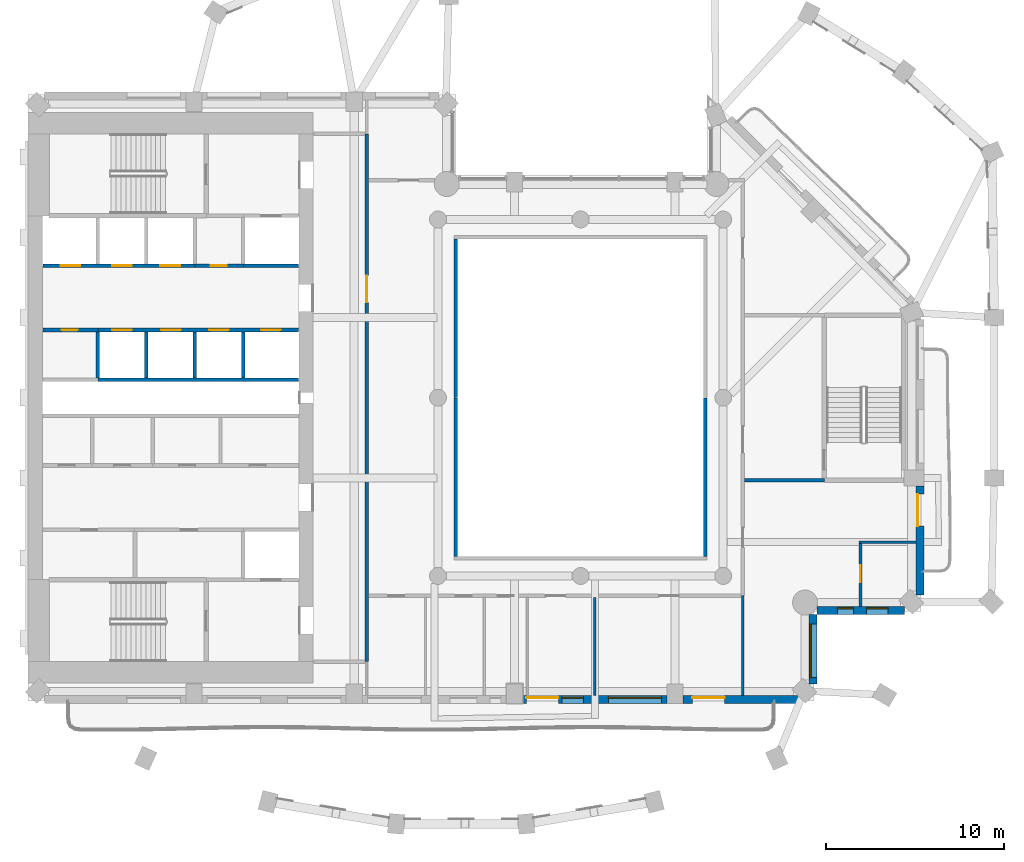
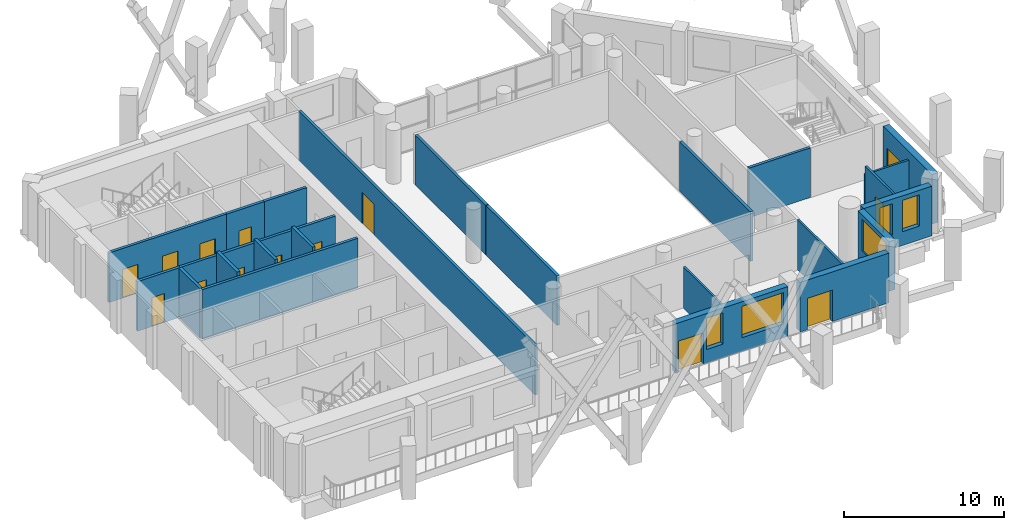
# One storey, part 5 of 15: 24 walls, 14 doors, 5 windows, 19 openings.
"""IFC4 building model written with IfcOpenShell, lengths in metres."""

from ifc_helpers import new_model, si_unit, direction, frame, frame_2d, origin, place, context, subcontext, project, spatial, rectangle, extrude, material, layer, layer_set, type_object, element, fill, save


model = new_model("IFC4")

# Units and contexts
model_context = context("Model", 3, precision=1e-05, world=origin(), true_north=direction((0.0, 1.0)))
body_context = subcontext(model_context, "Body", "Model", "MODEL_VIEW")
ifc_project = project(units=[si_unit("LENGTHUNIT", "METRE"), si_unit("AREAUNIT", "SQUARE_METRE"), si_unit("VOLUMEUNIT", "CUBIC_METRE"), si_unit("PLANEANGLEUNIT", "RADIAN"), si_unit("MASSUNIT", "GRAM", prefix="KILO")], contexts=[model_context])

# Site, building, storey
site_placement = place(None, origin())
site = spatial("IfcSite", under=ifc_project, at=site_placement, CompositionType="ELEMENT")
building_placement = place(site_placement, origin())
building = spatial("IfcBuilding", under=site, at=building_placement, Name="Cypress Arch Tower", CompositionType="ELEMENT")
storey_placement = place(building_placement, frame((0.0, 0.0, 193.300048828125)))
storey = spatial("IfcBuildingStorey", under=building, at=storey_placement, Name="L42", CompositionType="ELEMENT", Elevation=193.300048828125)

# Wall, openings, door, windows
ifc_material_1 = material(Name="Brick (red buff blend)", Category="masonry")
ifc_layer_1 = layer(ifc_material_1, 0.449951171875)
ifc_layer_set_1 = layer_set([ifc_layer_1], Name="Brick pier and spandrel wall BW450")
wall_type_1 = type_object("IfcWallType", Name="Brick pier and spandrel wall BW450", PredefinedType="SOLIDWALL", material=ifc_layer_set_1)
wall_1_placement = place(storey_placement, frame((-2.25, -16.925048828125, 0.0), z_axis=(0.0, 0.0, 1.0), x_axis=(1.0, 0.0, 0.0)))
wall_1 = element("IfcWall", 1, at=wall_1_placement, inside=storey, type_object=wall_type_1, Name="Brick wall L42 B01.3", PredefinedType="SOLIDWALL", context=body_context, shape_type="SweptSolid", body=[
    extrude(rectangle(XDim=8.10009765625, YDim=0.449951171875, at=frame_2d((4.050048828125, 0.0))), origin(), (0.0, 0.0, 1.0), 3.800048828125),
])
opening_1_placement = place(wall_1_placement, frame((0.199951171875, 0.0, 0.0)))
opening_1 = element("IfcOpeningElement", 2, at=opening_1_placement, cuts=wall_1, Name="Opening D-L42-B01.3.1", PredefinedType="OPENING", context=body_context, shape_type="SweptSolid", body=[
    extrude(rectangle(XDim=1.800048828125, YDim=2.39990234375, at=frame_2d((0.89990234375, 1.199951171875))), frame((0.0, 0.23486328125, 0.0), z_axis=(0.0, -1.0, 0.0), x_axis=(1.0, 0.0, 0.0)), (0.0, 0.0, 1.0), 0.469970703125),
])
opening_2_placement = place(wall_1_placement, frame((2.199951171875, 0.0, 1.050048828125)))
opening_2 = element("IfcOpeningElement", 3, at=opening_2_placement, cuts=wall_1, Name="Opening W120OD", PredefinedType="OPENING", context=body_context, shape_type="SweptSolid", body=[
    extrude(rectangle(XDim=1.199951171875, YDim=2.39990234375, at=frame_2d((0.60009765625, 1.199951171875))), frame((0.0, 0.23486328125, 0.0), z_axis=(0.0, -1.0, 0.0), x_axis=(1.0, 0.0, 0.0)), (0.0, 0.0, 1.0), 0.469970703125),
])
opening_3_placement = place(wall_1_placement, frame((4.800048828125, 0.0, 1.050048828125)))
opening_3 = element("IfcOpeningElement", 4, at=opening_3_placement, cuts=wall_1, Name="Opening W300OD", PredefinedType="OPENING", context=body_context, shape_type="SweptSolid", body=[
    extrude(rectangle(XDim=3.0, YDim=2.39990234375, at=frame_2d((1.5, 1.199951171875))), frame((0.0, 0.23486328125, 0.0), z_axis=(0.0, -1.0, 0.0), x_axis=(1.0, 0.0, 0.0)), (0.0, 0.0, 1.0), 0.469970703125),
])
ifc_material_2 = material(Name="Anodised aluminium, bronze finish, laminated low-emissivity double glazing, large-missile impact rated", Category="aluminium")
door_type_1 = type_object("IfcDoorType", Name="Balcony sliding door 1800x2400", OperationType="SLIDING_TO_LEFT", PredefinedType="DOOR", material=ifc_material_2)
door_1_placement = place(opening_1_placement, origin())
door_1 = element("IfcDoor", 5, at=door_1_placement, inside=storey, type_object=door_type_1, Name="Balcony door L42 B01.3.1", OperationType="SLIDING_TO_LEFT", OverallHeight=2.39990234375, OverallWidth=1.800048828125, PredefinedType="DOOR", context=body_context, shape_type="SweptSolid", body=[
    extrude(rectangle(XDim=1.800048828125, YDim=2.39990234375, at=frame_2d((0.89990234375, 1.199951171875))), frame((0.0, 0.1298828125, 0.0), z_axis=(0.0, -1.0, 0.0), x_axis=(1.0, 0.0, 0.0)), (0.0, 0.0, 1.0), 0.050048828125),
])
fill(opening_1, door_1)
ifc_material_3 = material(Name="Anodised aluminium, bronze finish, laminated low-emissivity double glazing, large-missile impact rated", Category="aluminium")
window_type_1 = type_object("IfcWindowType", Name="Window Office 1200x2400 debris-rated", PartitioningType="SINGLE_PANEL", PredefinedType="WINDOW", material=ifc_material_3)
window_1_placement = place(opening_2_placement, origin())
window_1 = element("IfcWindow", 6, at=window_1_placement, inside=storey, type_object=window_type_1, Name="Window L42 B01.3.1", OverallHeight=2.39990234375, OverallWidth=1.199951171875, PartitioningType="SINGLE_PANEL", PredefinedType="WINDOW", context=body_context, shape_type="SweptSolid", body=[
    extrude(rectangle(XDim=1.199951171875, YDim=2.39990234375, at=frame_2d((0.60009765625, 1.199951171875))), frame((0.0, 0.135009765625, 0.0), z_axis=(0.0, -1.0, 0.0), x_axis=(1.0, 0.0, 0.0)), (0.0, 0.0, 1.0), 0.06005859375),
])
fill(opening_2, window_1)
ifc_material_4 = material(Name="Anodised aluminium, bronze finish, laminated low-emissivity double glazing, large-missile impact rated", Category="aluminium")
window_type_2 = type_object("IfcWindowType", Name="Window Office 3000x2400 debris-rated", PartitioningType="SINGLE_PANEL", PredefinedType="WINDOW", material=ifc_material_4)
window_2_placement = place(opening_3_placement, origin())
window_2 = element("IfcWindow", 7, at=window_2_placement, inside=storey, type_object=window_type_2, Name="Window L42 B01.3.2", OverallHeight=2.39990234375, OverallWidth=3.0, PartitioningType="SINGLE_PANEL", PredefinedType="WINDOW", context=body_context, shape_type="SweptSolid", body=[
    extrude(rectangle(XDim=3.0, YDim=2.39990234375, at=frame_2d((1.5, 1.199951171875))), frame((0.0, 0.135009765625, 0.0), z_axis=(0.0, -1.0, 0.0), x_axis=(1.0, 0.0, 0.0)), (0.0, 0.0, 1.0), 0.06005859375),
])
fill(opening_3, window_2)

# Wall, opening, door
wall_2_placement = place(storey_placement, frame((6.75, -16.925048828125, 0.0), z_axis=(0.0, 0.0, 1.0), x_axis=(1.0, 0.0, 0.0)))
wall_2 = element("IfcWall", 8, at=wall_2_placement, inside=storey, type_object=wall_type_1, Name="Brick wall L42 B01.4", PredefinedType="SOLIDWALL", context=body_context, shape_type="SweptSolid", body=[
    extrude(rectangle(XDim=6.41357421875, YDim=0.449951171875, at=frame_2d((3.206787109375, 0.0))), origin(), (0.0, 0.0, 1.0), 3.800048828125),
])
opening_4_placement = place(wall_2_placement, frame((0.52490234375, 0.0, 0.0)))
opening_4 = element("IfcOpeningElement", 9, at=opening_4_placement, cuts=wall_2, Name="Opening D-L42-B01.4.1", PredefinedType="OPENING", context=body_context, shape_type="SweptSolid", body=[
    extrude(rectangle(XDim=1.800048828125, YDim=2.39990234375, at=frame_2d((0.89990234375, 1.199951171875))), frame((0.0, 0.23486328125, 0.0), z_axis=(0.0, -1.0, 0.0), x_axis=(1.0, 0.0, 0.0)), (0.0, 0.0, 1.0), 0.469970703125),
])
door_2_placement = place(opening_4_placement, origin())
door_2 = element("IfcDoor", 10, at=door_2_placement, inside=storey, type_object=door_type_1, Name="Balcony door L42 B01.4.1", OperationType="SLIDING_TO_LEFT", OverallHeight=2.39990234375, OverallWidth=1.800048828125, PredefinedType="DOOR", context=body_context, shape_type="SweptSolid", body=[
    extrude(rectangle(XDim=1.800048828125, YDim=2.39990234375, at=frame_2d((0.89990234375, 1.199951171875))), frame((0.0, 0.1298828125, 0.0), z_axis=(0.0, -1.0, 0.0), x_axis=(1.0, 0.0, 0.0)), (0.0, 0.0, 1.0), 0.050048828125),
])
fill(opening_4, door_2)

# Wall, opening, window
wall_3_placement = place(storey_placement, frame((14.02490234375, -16.063720703125, 0.0), z_axis=(0.0, 0.0, 1.0), x_axis=(0.0, 1.0, 0.0)))
wall_3 = element("IfcWall", 11, at=wall_3_placement, inside=storey, type_object=wall_type_1, Name="Brick wall L42 B02.0", PredefinedType="SOLIDWALL", context=body_context, shape_type="SweptSolid", body=[
    extrude(rectangle(XDim=3.9091796875, YDim=0.449951171875, at=frame_2d((1.95458984375, 0.0))), origin(), (0.0, 0.0, 1.0), 3.800048828125),
])
opening_5_placement = place(wall_3_placement, frame((0.363525390625, 0.0, 1.050048828125)))
opening_5 = element("IfcOpeningElement", 12, at=opening_5_placement, cuts=wall_3, Name="Opening W300O", PredefinedType="OPENING", context=body_context, shape_type="SweptSolid", body=[
    extrude(rectangle(XDim=3.0, YDim=2.39990234375, at=frame_2d((1.5, 1.199951171875))), frame((0.0, 0.23486328125, 0.0), z_axis=(0.0, -1.0, 0.0), x_axis=(1.0, 0.0, 0.0)), (0.0, 0.0, 1.0), 0.469970703125),
])
ifc_material_5 = material(Name="Anodised aluminium, bronze finish, clear low-emissivity double glazing", Category="aluminium")
window_type_3 = type_object("IfcWindowType", Name="Window Office 3000x2400", PartitioningType="SINGLE_PANEL", PredefinedType="WINDOW", material=ifc_material_5)
window_3_placement = place(opening_5_placement, origin())
window_3 = element("IfcWindow", 13, at=window_3_placement, inside=storey, type_object=window_type_3, Name="Window L42 B02.0.1", OverallHeight=2.39990234375, OverallWidth=3.0, PartitioningType="SINGLE_PANEL", PredefinedType="WINDOW", context=body_context, shape_type="SweptSolid", body=[
    extrude(rectangle(XDim=3.0, YDim=2.39990234375, at=frame_2d((1.5, 1.199951171875))), frame((0.0, 0.135009765625, 0.0), z_axis=(0.0, -1.0, 0.0), x_axis=(1.0, 0.0, 0.0)), (0.0, 0.0, 1.0), 0.06005859375),
])
fill(opening_5, window_3)

# Wall, openings, windows
wall_4_placement = place(storey_placement, frame((14.254638671875, -11.925048828125, 0.0), z_axis=(0.0, 0.0, 1.0), x_axis=(1.0, 0.0, 0.0)))
wall_4 = element("IfcWall", 14, at=wall_4_placement, inside=storey, type_object=wall_type_1, Name="Brick wall L42 B03.0", PredefinedType="SOLIDWALL", context=body_context, shape_type="SweptSolid", body=[
    extrude(rectangle(XDim=4.908935546875, YDim=0.449951171875, at=frame_2d((2.45458984375, 0.0))), origin(), (0.0, 0.0, 1.0), 3.800048828125),
])
opening_6_placement = place(wall_4_placement, frame((1.1455078125, 0.0, 1.050048828125)))
opening_6 = element("IfcOpeningElement", 15, at=opening_6_placement, cuts=wall_4, Name="Opening W090O", PredefinedType="OPENING", context=body_context, shape_type="SweptSolid", body=[
    extrude(rectangle(XDim=0.89990234375, YDim=2.39990234375, at=frame_2d((0.449951171875, 1.199951171875))), frame((0.0, 0.23486328125, 0.0), z_axis=(0.0, -1.0, 0.0), x_axis=(1.0, 0.0, 0.0)), (0.0, 0.0, 1.0), 0.469970703125),
])
opening_7_placement = place(wall_4_placement, frame((2.79541015625, 0.0, 1.050048828125)))
opening_7 = element("IfcOpeningElement", 16, at=opening_7_placement, cuts=wall_4, Name="Opening W120O", PredefinedType="OPENING", context=body_context, shape_type="SweptSolid", body=[
    extrude(rectangle(XDim=1.199951171875, YDim=2.39990234375, at=frame_2d((0.60009765625, 1.199951171875))), frame((0.0, 0.23486328125, 0.0), z_axis=(0.0, -1.0, 0.0), x_axis=(1.0, 0.0, 0.0)), (0.0, 0.0, 1.0), 0.469970703125),
])
ifc_material_6 = material(Name="Anodised aluminium, bronze finish, clear low-emissivity double glazing", Category="aluminium")
window_type_4 = type_object("IfcWindowType", Name="Window Office 1200x2400", PartitioningType="SINGLE_PANEL", PredefinedType="WINDOW", material=ifc_material_6)
window_4_placement = place(opening_7_placement, origin())
window_4 = element("IfcWindow", 17, at=window_4_placement, inside=storey, type_object=window_type_4, Name="Window L42 B03.0.1b", OverallHeight=2.39990234375, OverallWidth=1.199951171875, PartitioningType="SINGLE_PANEL", PredefinedType="WINDOW", context=body_context, shape_type="SweptSolid", body=[
    extrude(rectangle(XDim=1.199951171875, YDim=2.39990234375, at=frame_2d((0.60009765625, 1.199951171875))), frame((0.0, 0.135009765625, 0.0), z_axis=(0.0, -1.0, 0.0), x_axis=(1.0, 0.0, 0.0)), (0.0, 0.0, 1.0), 0.06005859375),
])
fill(opening_7, window_4)
ifc_material_7 = material(Name="Anodised aluminium, bronze finish, clear low-emissivity double glazing", Category="aluminium")
window_type_5 = type_object("IfcWindowType", Name="Window Office 900x2400", PartitioningType="SINGLE_PANEL", PredefinedType="WINDOW", material=ifc_material_7)
window_5_placement = place(opening_6_placement, origin())
window_5 = element("IfcWindow", 18, at=window_5_placement, inside=storey, type_object=window_type_5, Name="Window L42 B03.0.1", OverallHeight=2.39990234375, OverallWidth=0.89990234375, PartitioningType="SINGLE_PANEL", PredefinedType="WINDOW", context=body_context, shape_type="SweptSolid", body=[
    extrude(rectangle(XDim=0.89990234375, YDim=2.39990234375, at=frame_2d((0.449951171875, 1.199951171875))), frame((0.0, 0.135009765625, 0.0), z_axis=(0.0, -1.0, 0.0), x_axis=(1.0, 0.0, 0.0)), (0.0, 0.0, 1.0), 0.06005859375),
])
fill(opening_6, window_5)

# Wall, opening, door
wall_5_placement = place(storey_placement, frame((20.02490234375, -11.063720703125, 0.0), z_axis=(0.0, 0.0, 1.0), x_axis=(0.0, 1.0, 0.0)))
wall_5 = element("IfcWall", 19, at=wall_5_placement, inside=storey, type_object=wall_type_1, Name="Brick wall L42 B04.0", PredefinedType="SOLIDWALL", context=body_context, shape_type="SweptSolid", body=[
    extrude(rectangle(XDim=6.11376953125, YDim=0.449951171875, at=frame_2d((3.056884765625, 0.0))), origin(), (0.0, 0.0, 1.0), 3.800048828125),
])
opening_8_placement = place(wall_5_placement, frame((3.863525390625, 0.0, 0.0)))
opening_8 = element("IfcOpeningElement", 20, at=opening_8_placement, cuts=wall_5, Name="Opening D-L42-B04.0.2", PredefinedType="OPENING", context=body_context, shape_type="SweptSolid", body=[
    extrude(rectangle(XDim=1.800048828125, YDim=2.39990234375, at=frame_2d((0.89990234375, 1.199951171875))), frame((0.0, 0.23486328125, 0.0), z_axis=(0.0, -1.0, 0.0), x_axis=(1.0, 0.0, 0.0)), (0.0, 0.0, 1.0), 0.469970703125),
])
door_3_placement = place(opening_8_placement, origin())
door_3 = element("IfcDoor", 21, at=door_3_placement, inside=storey, type_object=door_type_1, Name="Balcony door L42 B04.0.2", OperationType="SLIDING_TO_LEFT", OverallHeight=2.39990234375, OverallWidth=1.800048828125, PredefinedType="DOOR", context=body_context, shape_type="SweptSolid", body=[
    extrude(rectangle(XDim=1.800048828125, YDim=2.39990234375, at=frame_2d((0.89990234375, 1.199951171875))), frame((0.0, 0.1298828125, 0.0), z_axis=(0.0, -1.0, 0.0), x_axis=(1.0, 0.0, 0.0)), (0.0, 0.0, 1.0), 0.050048828125),
])
fill(opening_8, door_3)

ifc_material_8 = material(Name="Concrete blockwork, plastered, rated", Category="masonry")
ifc_layer_2 = layer(ifc_material_8, 0.199951171875)
ifc_layer_set_2 = layer_set([ifc_layer_2], Name="Corridor wall FW200")
wall_type_2 = type_object("IfcWallType", Name="Corridor wall FW200", PredefinedType="PARTITIONING", material=ifc_layer_set_2)
wall_6_placement = place(storey_placement, frame((-29.169921875, 3.800048828125, 0.0), z_axis=(0.0, 0.0, 1.0), x_axis=(1.0, 0.0, 0.0)))
wall_6 = element("IfcWall", 22, at=wall_6_placement, inside=storey, type_object=wall_type_2, Name="Corridor wall", PredefinedType="PARTITIONING", context=body_context, shape_type="SweptSolid", body=[
    extrude(rectangle(XDim=3.08984375, YDim=0.199951171875, at=frame_2d((1.544921875, 0.0))), origin(), (0.0, 0.0, 1.0), 3.800048828125),
])
opening_9_placement = place(wall_6_placement, frame((1.050048828125, 0.0, 0.0)))
opening_9 = element("IfcOpeningElement", 23, at=opening_9_placement, cuts=wall_6, Name="Opening D05", PredefinedType="OPENING", context=body_context, shape_type="SweptSolid", body=[
    extrude(rectangle(XDim=0.89990234375, YDim=2.199951171875, at=frame_2d((0.449951171875, 1.10009765625))), frame((0.0, 0.10986328125, 0.0), z_axis=(0.0, -1.0, 0.0), x_axis=(1.0, 0.0, 0.0)), (0.0, 0.0, 1.0), 0.219970703125),
])
ifc_material_9 = material(Name="Timber flush door", Category="wood")
door_type_2 = type_object("IfcDoorType", Name="Service door D05 900x2200", OperationType="SINGLE_SWING_LEFT", PredefinedType="DOOR", material=ifc_material_9)
door_4_placement = place(opening_9_placement, origin())
door_4 = element("IfcDoor", 24, at=door_4_placement, inside=storey, type_object=door_type_2, Name="Service door", OperationType="SINGLE_SWING_LEFT", OverallHeight=2.199951171875, OverallWidth=0.89990234375, PredefinedType="DOOR", context=body_context, shape_type="SweptSolid", body=[
    extrude(rectangle(XDim=0.89990234375, YDim=2.199951171875, at=frame_2d((0.449951171875, 1.10009765625))), frame((0.0, 0.02490234375, 0.0), z_axis=(0.0, -1.0, 0.0), x_axis=(1.0, 0.0, 0.0)), (0.0, 0.0, 1.0), 0.050048828125),
])
fill(opening_9, door_4)

wall_7_placement = place(storey_placement, frame((-20.639892578125, 7.39990234375, 0.0), z_axis=(0.0, 0.0, 1.0), x_axis=(1.0, 0.0, 0.0)))
wall_7 = element("IfcWall", 25, at=wall_7_placement, inside=storey, type_object=wall_type_2, Name="Corridor wall", PredefinedType="PARTITIONING", context=body_context, shape_type="SweptSolid", body=[
    extrude(rectangle(XDim=2.719970703125, YDim=0.199951171875, at=frame_2d((1.35986328125, 0.0))), origin(), (0.0, 0.0, 1.0), 3.800048828125),
])
opening_10_placement = place(wall_7_placement, frame((0.89990234375, 0.0, 0.0)))
opening_10 = element("IfcOpeningElement", 26, at=opening_10_placement, cuts=wall_7, Name="Opening D05", PredefinedType="OPENING", context=body_context, shape_type="SweptSolid", body=[
    extrude(rectangle(XDim=0.89990234375, YDim=2.199951171875, at=frame_2d((0.449951171875, 1.10009765625))), frame((0.0, 0.10986328125, 0.0), z_axis=(0.0, -1.0, 0.0), x_axis=(1.0, 0.0, 0.0)), (0.0, 0.0, 1.0), 0.219970703125),
])
door_5_placement = place(opening_10_placement, origin())
door_5 = element("IfcDoor", 27, at=door_5_placement, inside=storey, type_object=door_type_2, Name="Service door", OperationType="SINGLE_SWING_LEFT", OverallHeight=2.199951171875, OverallWidth=0.89990234375, PredefinedType="DOOR", context=body_context, shape_type="SweptSolid", body=[
    extrude(rectangle(XDim=0.89990234375, YDim=2.199951171875, at=frame_2d((0.449951171875, 1.10009765625))), frame((0.0, 0.02490234375, 0.0), z_axis=(0.0, -1.0, 0.0), x_axis=(1.0, 0.0, 0.0)), (0.0, 0.0, 1.0), 0.050048828125),
])
fill(opening_10, door_5)

wall_8_placement = place(storey_placement, frame((-11.0, -14.800048828125, 0.0), z_axis=(0.0, 0.0, 1.0), x_axis=(0.0, 1.0, 0.0)))
wall_8 = element("IfcWall", 28, at=wall_8_placement, inside=storey, type_object=wall_type_2, Name="Corridor wall", PredefinedType="PARTITIONING", context=body_context, shape_type="SweptSolid", body=[
    extrude(rectangle(XDim=29.60009765625, YDim=0.199951171875, at=frame_2d((14.800048828125, 0.0))), origin(), (0.0, 0.0, 1.0), 3.800048828125),
])
opening_11_placement = place(wall_8_placement, frame((20.14990234375, 0.0, 0.0)))
opening_11 = element("IfcOpeningElement", 29, at=opening_11_placement, cuts=wall_8, Name="Opening D07", PredefinedType="OPENING", context=body_context, shape_type="SweptSolid", body=[
    extrude(rectangle(XDim=1.5, YDim=2.39990234375, at=frame_2d((0.75, 1.199951171875))), frame((0.0, 0.10986328125, 0.0), z_axis=(0.0, -1.0, 0.0), x_axis=(1.0, 0.0, 0.0)), (0.0, 0.0, 1.0), 0.219970703125),
])
ifc_material_10 = material(Name="Steel framed glazed door, fire resisting", Category="steel")
door_type_3 = type_object("IfcDoorType", Name="Lobby door D07 1500x2400", OperationType="DOUBLE_DOOR_SINGLE_SWING", PredefinedType="DOOR", material=ifc_material_10)
door_6_placement = place(opening_11_placement, origin())
door_6 = element("IfcDoor", 30, at=door_6_placement, inside=storey, type_object=door_type_3, Name="Lobby door", OperationType="DOUBLE_DOOR_SINGLE_SWING", OverallHeight=2.39990234375, OverallWidth=1.5, PredefinedType="DOOR", context=body_context, shape_type="SweptSolid", body=[
    extrude(rectangle(XDim=1.5, YDim=2.39990234375, at=frame_2d((0.75, 1.199951171875))), frame((0.0, 0.02490234375, 0.0), z_axis=(0.0, -1.0, 0.0), x_axis=(1.0, 0.0, 0.0)), (0.0, 0.0, 1.0), 0.050048828125),
])
fill(opening_11, door_6)

# Walls
for number, where, z_axis, x_axis, name in (
    (31, (-6.0, -8.89990234375, 0.0), (0.0, 0.0, 1.0), (0.0, 1.0, 0.0), "Corridor wall"),
    (32, (-6.0, 0.02001953125, 0.0), (0.0, 0.0, 1.0), (0.0, 1.0, 0.0), "Corridor wall"),
    (33, (8.0, -8.89990234375, 0.0), (0.0, 0.0, 1.0), (0.0, 1.0, 0.0), "Corridor wall"),
):
    element("IfcWall", number, at=place(storey_placement, frame(where, z_axis=z_axis, x_axis=x_axis)), inside=storey, type_object=wall_type_2, Name=name, PredefinedType="PARTITIONING", context=body_context, shape_type="SweptSolid", body=[
        extrude(rectangle(XDim=8.8798828125, YDim=0.199951171875, at=frame_2d((4.43994140625, 0.0))), origin(), (0.0, 0.0, 1.0), 3.800048828125),
    ])
wall_9_placement = place(storey_placement, frame((10.199951171875, -4.625, 0.0), z_axis=(0.0, 0.0, 1.0), x_axis=(1.0, 0.0, 0.0)))
element("IfcWall", 34, at=wall_9_placement, inside=storey, type_object=wall_type_2, Name="Corridor wall", PredefinedType="PARTITIONING", context=body_context, shape_type="SweptSolid", body=[
    extrude(rectangle(XDim=4.47509765625, YDim=0.199951171875, at=frame_2d((2.237548828125, 0.0))), origin(), (0.0, 0.0, 1.0), 3.800048828125),
])
ifc_material_11 = material(Name="Blockwork, plastered both sides", Category="masonry")
ifc_layer_3 = layer(ifc_material_11, 0.14990234375)
ifc_layer_set_3 = layer_set([ifc_layer_3], Name="Partition PW150")
wall_type_3 = type_object("IfcWallType", Name="Partition PW150", PredefinedType="PARTITIONING", material=ifc_layer_set_3)
wall_10_placement = place(storey_placement, frame((1.800048828125, -16.699951171875, 0.0), z_axis=(0.0, 0.0, 1.0), x_axis=(0.0, 1.0, 0.0)))
element("IfcWall", 35, at=wall_10_placement, inside=storey, type_object=wall_type_3, Name="Partition", PredefinedType="PARTITIONING", context=body_context, shape_type="SweptSolid", body=[
    extrude(rectangle(XDim=5.5, YDim=0.14990234375, at=frame_2d((2.75, 0.0))), origin(), (0.0, 0.0, 1.0), 3.14990234375),
])
wall_11_placement = place(storey_placement, frame((10.10009765625, -16.699951171875, 0.0), z_axis=(0.0, 0.0, 1.0), x_axis=(0.0, 1.0, 0.0)))
element("IfcWall", 36, at=wall_11_placement, inside=storey, type_object=wall_type_3, Name="Partition", PredefinedType="PARTITIONING", context=body_context, shape_type="SweptSolid", body=[
    extrude(rectangle(XDim=5.599853515625, YDim=0.14990234375, at=frame_2d((2.7998046875, 0.0))), origin(), (0.0, 0.0, 1.0), 3.800048828125),
])

# Wall, opening, door
wall_12_placement = place(storey_placement, frame((16.699951171875, -11.699951171875, 0.0), z_axis=(0.0, 0.0, 1.0), x_axis=(0.0, 1.0, 0.0)))
wall_12 = element("IfcWall", 37, at=wall_12_placement, inside=storey, type_object=wall_type_3, Name="Partition", PredefinedType="PARTITIONING", context=body_context, shape_type="SweptSolid", body=[
    extrude(rectangle(XDim=3.52490234375, YDim=0.14990234375, at=frame_2d((1.762451171875, 0.0))), origin(), (0.0, 0.0, 1.0), 3.800048828125),
])
opening_12_placement = place(wall_12_placement, frame((1.35009765625, 0.0, 0.0)))
opening_12 = element("IfcOpeningElement", 38, at=opening_12_placement, cuts=wall_12, Name="Opening D12", PredefinedType="OPENING", context=body_context, shape_type="SweptSolid", body=[
    extrude(rectangle(XDim=0.949951171875, YDim=2.199951171875, at=frame_2d((0.47509765625, 1.10009765625))), frame((0.0, 0.0849609375, 0.0), z_axis=(0.0, -1.0, 0.0), x_axis=(1.0, 0.0, 0.0)), (0.0, 0.0, 1.0), 0.169921875),
])
ifc_material_12 = material(Name="Timber flush door", Category="wood")
door_type_4 = type_object("IfcDoorType", Name="Room door D12 950x2200", OperationType="SINGLE_SWING_LEFT", PredefinedType="DOOR", material=ifc_material_12)
door_7_placement = place(opening_12_placement, origin())
door_7 = element("IfcDoor", 39, at=door_7_placement, inside=storey, type_object=door_type_4, Name="Room door", OperationType="SINGLE_SWING_RIGHT", OverallHeight=2.199951171875, OverallWidth=0.949951171875, PredefinedType="DOOR", context=body_context, shape_type="SweptSolid", body=[
    extrude(rectangle(XDim=0.949951171875, YDim=2.199951171875, at=frame_2d((0.47509765625, 1.10009765625))), frame((0.0, 0.02490234375, 0.0), z_axis=(0.0, -1.0, 0.0), x_axis=(1.0, 0.0, 0.0)), (0.0, 0.0, 1.0), 0.050048828125),
])
fill(opening_12, door_7)

# Wall
wall_13_placement = place(storey_placement, frame((16.625, -8.10009765625, 0.0), z_axis=(0.0, 0.0, 1.0), x_axis=(1.0, 0.0, 0.0)))
element("IfcWall", 40, at=wall_13_placement, inside=storey, type_object=wall_type_3, Name="Partition", PredefinedType="PARTITIONING", context=body_context, shape_type="SweptSolid", body=[
    extrude(rectangle(XDim=3.175048828125, YDim=0.14990234375, at=frame_2d((1.58740234375, 0.0))), origin(), (0.0, 0.0, 1.0), 3.14990234375),
])

# Wall, openings, doors
ifc_material_13 = material(Name="Concrete C50/60", Category="concrete")
ifc_layer_4 = layer(ifc_material_13, 0.199951171875)
ifc_layer_set_4 = layer_set([ifc_layer_4], Name="Shaft wall SH200")
wall_type_4 = type_object("IfcWallType", Name="Shaft wall SH200", PredefinedType="SHEAR", material=ifc_layer_set_4)
wall_14_placement = place(storey_placement, frame((-29.169921875, 7.39990234375, 0.0), z_axis=(0.0, 0.0, 1.0), x_axis=(1.0, 0.0, 0.0)))
wall_14 = element("IfcWall", 41, at=wall_14_placement, inside=storey, type_object=wall_type_4, Name="Shaft wall", PredefinedType="SHEAR", context=body_context, shape_type="SweptSolid", body=[
    extrude(rectangle(XDim=8.530029296875, YDim=0.199951171875, at=frame_2d((4.26513671875, 0.0))), origin(), (0.0, 0.0, 1.0), 3.800048828125),
])
opening_13_placement = place(wall_14_placement, frame((1.0, 0.0, 0.0)))
opening_13 = element("IfcOpeningElement", 42, at=opening_13_placement, cuts=wall_14, Name="Opening LD-HR5", PredefinedType="OPENING", context=body_context, shape_type="SweptSolid", body=[
    extrude(rectangle(XDim=1.10009765625, YDim=2.199951171875, at=frame_2d((0.550048828125, 1.10009765625))), frame((0.0, 0.10986328125, 0.0), z_axis=(0.0, -1.0, 0.0), x_axis=(1.0, 0.0, 0.0)), (0.0, 0.0, 1.0), 0.219970703125),
])
opening_14_placement = place(wall_14_placement, frame((3.89990234375, 0.0, 0.0)))
opening_14 = element("IfcOpeningElement", 43, at=opening_14_placement, cuts=wall_14, Name="Opening LD-HR6", PredefinedType="OPENING", context=body_context, shape_type="SweptSolid", body=[
    extrude(rectangle(XDim=1.10009765625, YDim=2.199951171875, at=frame_2d((0.550048828125, 1.10009765625))), frame((0.0, 0.10986328125, 0.0), z_axis=(0.0, -1.0, 0.0), x_axis=(1.0, 0.0, 0.0)), (0.0, 0.0, 1.0), 0.219970703125),
])
opening_15_placement = place(wall_14_placement, frame((6.60009765625, 0.0, 0.0)))
opening_15 = element("IfcOpeningElement", 44, at=opening_15_placement, cuts=wall_14, Name="Opening LD-HR7", PredefinedType="OPENING", context=body_context, shape_type="SweptSolid", body=[
    extrude(rectangle(XDim=1.10009765625, YDim=2.199951171875, at=frame_2d((0.550048828125, 1.10009765625))), frame((0.0, 0.10986328125, 0.0), z_axis=(0.0, -1.0, 0.0), x_axis=(1.0, 0.0, 0.0)), (0.0, 0.0, 1.0), 0.219970703125),
])
ifc_material_14 = material(Name="Stainless steel centre-opening landing door, rated", Category="steel")
door_type_5 = type_object("IfcDoorType", Name="Lift landing door LD 1100x2200", OperationType="DOUBLE_DOOR_SLIDING", PredefinedType="DOOR", material=ifc_material_14)
door_8_placement = place(opening_13_placement, origin())
door_8 = element("IfcDoor", 45, at=door_8_placement, inside=storey, type_object=door_type_5, Name="Lift landing doors HR5", OperationType="DOUBLE_DOOR_SLIDING", OverallHeight=2.199951171875, OverallWidth=1.10009765625, PredefinedType="DOOR", context=body_context, shape_type="SweptSolid", body=[
    extrude(rectangle(XDim=1.10009765625, YDim=2.199951171875, at=frame_2d((0.550048828125, 1.10009765625))), frame((0.0, 0.02490234375, 0.0), z_axis=(0.0, -1.0, 0.0), x_axis=(1.0, 0.0, 0.0)), (0.0, 0.0, 1.0), 0.050048828125),
])
fill(opening_13, door_8)
door_9_placement = place(opening_14_placement, origin())
door_9 = element("IfcDoor", 46, at=door_9_placement, inside=storey, type_object=door_type_5, Name="Lift landing doors HR6", OperationType="DOUBLE_DOOR_SLIDING", OverallHeight=2.199951171875, OverallWidth=1.10009765625, PredefinedType="DOOR", context=body_context, shape_type="SweptSolid", body=[
    extrude(rectangle(XDim=1.10009765625, YDim=2.199951171875, at=frame_2d((0.550048828125, 1.10009765625))), frame((0.0, 0.02490234375, 0.0), z_axis=(0.0, -1.0, 0.0), x_axis=(1.0, 0.0, 0.0)), (0.0, 0.0, 1.0), 0.050048828125),
])
fill(opening_14, door_9)
door_10_placement = place(opening_15_placement, origin())
door_10 = element("IfcDoor", 47, at=door_10_placement, inside=storey, type_object=door_type_5, Name="Lift landing doors HR7", OperationType="DOUBLE_DOOR_SLIDING", OverallHeight=2.199951171875, OverallWidth=1.10009765625, PredefinedType="DOOR", context=body_context, shape_type="SweptSolid", body=[
    extrude(rectangle(XDim=1.10009765625, YDim=2.199951171875, at=frame_2d((0.550048828125, 1.10009765625))), frame((0.0, 0.02490234375, 0.0), z_axis=(0.0, -1.0, 0.0), x_axis=(1.0, 0.0, 0.0)), (0.0, 0.0, 1.0), 0.050048828125),
])
fill(opening_15, door_10)

# Walls
wall_15_placement = place(storey_placement, frame((-26.080078125, 1.10009765625, 0.0), z_axis=(0.0, 0.0, 1.0), x_axis=(0.0, 1.0, 0.0)))
element("IfcWall", 48, at=wall_15_placement, inside=storey, type_object=wall_type_4, Name="Shaft wall", PredefinedType="SHEAR", context=body_context, shape_type="SweptSolid", body=[
    extrude(rectangle(XDim=2.599853515625, YDim=0.199951171875, at=frame_2d((1.2998046875, 0.0))), origin(), (0.0, 0.0, 1.0), 3.800048828125),
])
wall_16_placement = place(storey_placement, frame((-26.080078125, 1.0, 0.0), z_axis=(0.0, 0.0, 1.0), x_axis=(1.0, 0.0, 0.0)))
element("IfcWall", 49, at=wall_16_placement, inside=storey, type_object=wall_type_4, Name="Shaft wall", PredefinedType="SHEAR", context=body_context, shape_type="SweptSolid", body=[
    extrude(rectangle(XDim=11.25, YDim=0.199951171875, at=frame_2d((5.625, 0.0))), origin(), (0.0, 0.0, 1.0), 3.800048828125),
])

# Wall, openings, doors
wall_17_placement = place(storey_placement, frame((-26.080078125, 3.800048828125, 0.0), z_axis=(0.0, 0.0, 1.0), x_axis=(1.0, 0.0, 0.0)))
wall_17 = element("IfcWall", 50, at=wall_17_placement, inside=storey, type_object=wall_type_4, Name="Shaft wall", PredefinedType="SHEAR", context=body_context, shape_type="SweptSolid", body=[
    extrude(rectangle(XDim=11.25, YDim=0.199951171875, at=frame_2d((5.625, 0.0))), origin(), (0.0, 0.0, 1.0), 3.800048828125),
])
opening_16_placement = place(wall_17_placement, frame((0.800048828125, 0.0, 0.0)))
opening_16 = element("IfcOpeningElement", 51, at=opening_16_placement, cuts=wall_17, Name="Opening LD-HR1", PredefinedType="OPENING", context=body_context, shape_type="SweptSolid", body=[
    extrude(rectangle(XDim=1.10009765625, YDim=2.199951171875, at=frame_2d((0.550048828125, 1.10009765625))), frame((0.0, 0.10986328125, 0.0), z_axis=(0.0, -1.0, 0.0), x_axis=(1.0, 0.0, 0.0)), (0.0, 0.0, 1.0), 0.219970703125),
])
opening_17_placement = place(wall_17_placement, frame((3.550048828125, 0.0, 0.0)))
opening_17 = element("IfcOpeningElement", 52, at=opening_17_placement, cuts=wall_17, Name="Opening LD-HR2", PredefinedType="OPENING", context=body_context, shape_type="SweptSolid", body=[
    extrude(rectangle(XDim=1.10009765625, YDim=2.199951171875, at=frame_2d((0.550048828125, 1.10009765625))), frame((0.0, 0.10986328125, 0.0), z_axis=(0.0, -1.0, 0.0), x_axis=(1.0, 0.0, 0.0)), (0.0, 0.0, 1.0), 0.219970703125),
])
opening_18_placement = place(wall_17_placement, frame((6.25, 0.0, 0.0)))
opening_18 = element("IfcOpeningElement", 53, at=opening_18_placement, cuts=wall_17, Name="Opening LD-HR3", PredefinedType="OPENING", context=body_context, shape_type="SweptSolid", body=[
    extrude(rectangle(XDim=1.10009765625, YDim=2.199951171875, at=frame_2d((0.550048828125, 1.10009765625))), frame((0.0, 0.10986328125, 0.0), z_axis=(0.0, -1.0, 0.0), x_axis=(1.0, 0.0, 0.0)), (0.0, 0.0, 1.0), 0.219970703125),
])
opening_19_placement = place(wall_17_placement, frame((9.14990234375, 0.0, 0.0)))
opening_19 = element("IfcOpeningElement", 54, at=opening_19_placement, cuts=wall_17, Name="Opening LD-HR4", PredefinedType="OPENING", context=body_context, shape_type="SweptSolid", body=[
    extrude(rectangle(XDim=1.10009765625, YDim=2.199951171875, at=frame_2d((0.550048828125, 1.10009765625))), frame((0.0, 0.10986328125, 0.0), z_axis=(0.0, -1.0, 0.0), x_axis=(1.0, 0.0, 0.0)), (0.0, 0.0, 1.0), 0.219970703125),
])
door_11_placement = place(opening_16_placement, origin())
door_11 = element("IfcDoor", 55, at=door_11_placement, inside=storey, type_object=door_type_5, Name="Lift landing doors HR1", OperationType="DOUBLE_DOOR_SLIDING", OverallHeight=2.199951171875, OverallWidth=1.10009765625, PredefinedType="DOOR", context=body_context, shape_type="SweptSolid", body=[
    extrude(rectangle(XDim=1.10009765625, YDim=2.199951171875, at=frame_2d((0.550048828125, 1.10009765625))), frame((0.0, 0.02490234375, 0.0), z_axis=(0.0, -1.0, 0.0), x_axis=(1.0, 0.0, 0.0)), (0.0, 0.0, 1.0), 0.050048828125),
])
fill(opening_16, door_11)
door_12_placement = place(opening_17_placement, origin())
door_12 = element("IfcDoor", 56, at=door_12_placement, inside=storey, type_object=door_type_5, Name="Lift landing doors HR2", OperationType="DOUBLE_DOOR_SLIDING", OverallHeight=2.199951171875, OverallWidth=1.10009765625, PredefinedType="DOOR", context=body_context, shape_type="SweptSolid", body=[
    extrude(rectangle(XDim=1.10009765625, YDim=2.199951171875, at=frame_2d((0.550048828125, 1.10009765625))), frame((0.0, 0.02490234375, 0.0), z_axis=(0.0, -1.0, 0.0), x_axis=(1.0, 0.0, 0.0)), (0.0, 0.0, 1.0), 0.050048828125),
])
fill(opening_17, door_12)
door_13_placement = place(opening_18_placement, origin())
door_13 = element("IfcDoor", 57, at=door_13_placement, inside=storey, type_object=door_type_5, Name="Lift landing doors HR3", OperationType="DOUBLE_DOOR_SLIDING", OverallHeight=2.199951171875, OverallWidth=1.10009765625, PredefinedType="DOOR", context=body_context, shape_type="SweptSolid", body=[
    extrude(rectangle(XDim=1.10009765625, YDim=2.199951171875, at=frame_2d((0.550048828125, 1.10009765625))), frame((0.0, 0.02490234375, 0.0), z_axis=(0.0, -1.0, 0.0), x_axis=(1.0, 0.0, 0.0)), (0.0, 0.0, 1.0), 0.050048828125),
])
fill(opening_18, door_13)
door_14_placement = place(opening_19_placement, origin())
door_14 = element("IfcDoor", 58, at=door_14_placement, inside=storey, type_object=door_type_5, Name="Lift landing doors HR4", OperationType="DOUBLE_DOOR_SLIDING", OverallHeight=2.199951171875, OverallWidth=1.10009765625, PredefinedType="DOOR", context=body_context, shape_type="SweptSolid", body=[
    extrude(rectangle(XDim=1.10009765625, YDim=2.199951171875, at=frame_2d((0.550048828125, 1.10009765625))), frame((0.0, 0.02490234375, 0.0), z_axis=(0.0, -1.0, 0.0), x_axis=(1.0, 0.0, 0.0)), (0.0, 0.0, 1.0), 0.050048828125),
])
fill(opening_19, door_14)

# Walls
for number, where, z_axis, x_axis, name in (
    (59, (-23.360107421875, 1.10009765625, 0.0), (0.0, 0.0, 1.0), (0.0, 1.0, 0.0), "Shaft wall"),
    (60, (-20.639892578125, 1.10009765625, 0.0), (0.0, 0.0, 1.0), (0.0, 1.0, 0.0), "Shaft wall"),
    (61, (-17.919921875, 1.10009765625, 0.0), (0.0, 0.0, 1.0), (0.0, 1.0, 0.0), "Shaft wall"),
):
    element("IfcWall", number, at=place(storey_placement, frame(where, z_axis=z_axis, x_axis=x_axis)), inside=storey, type_object=wall_type_4, Name=name, PredefinedType="SHEAR", context=body_context, shape_type="SweptSolid", body=[
        extrude(rectangle(XDim=2.599853515625, YDim=0.199951171875, at=frame_2d((1.2998046875, 0.0))), origin(), (0.0, 0.0, 1.0), 4.099853515625),
    ])
wall_18_placement = place(storey_placement, frame((-17.919921875, 7.39990234375, 0.0), z_axis=(0.0, 0.0, 1.0), x_axis=(1.0, 0.0, 0.0)))
element("IfcWall", 62, at=wall_18_placement, inside=storey, type_object=wall_type_4, Name="Shaft wall", PredefinedType="SHEAR", context=body_context, shape_type="SweptSolid", body=[
    extrude(rectangle(XDim=3.08984375, YDim=0.199951171875, at=frame_2d((1.544921875, 0.0))), origin(), (0.0, 0.0, 1.0), 3.800048828125),
])

save(model, "model.ifc")
